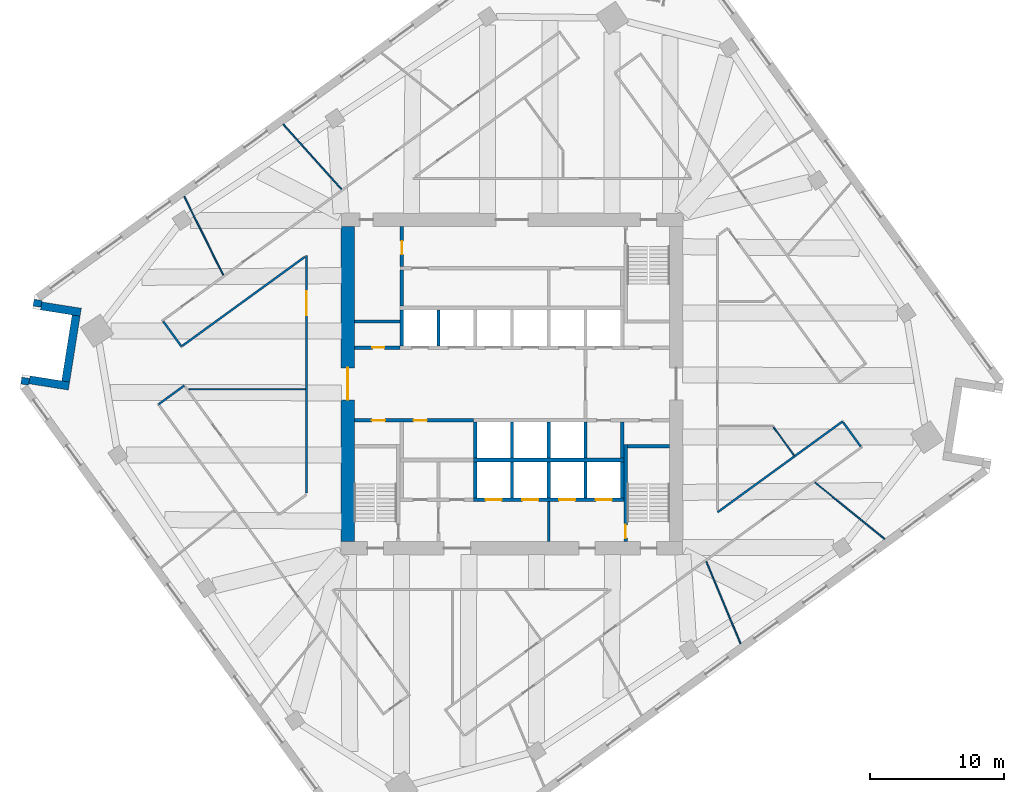
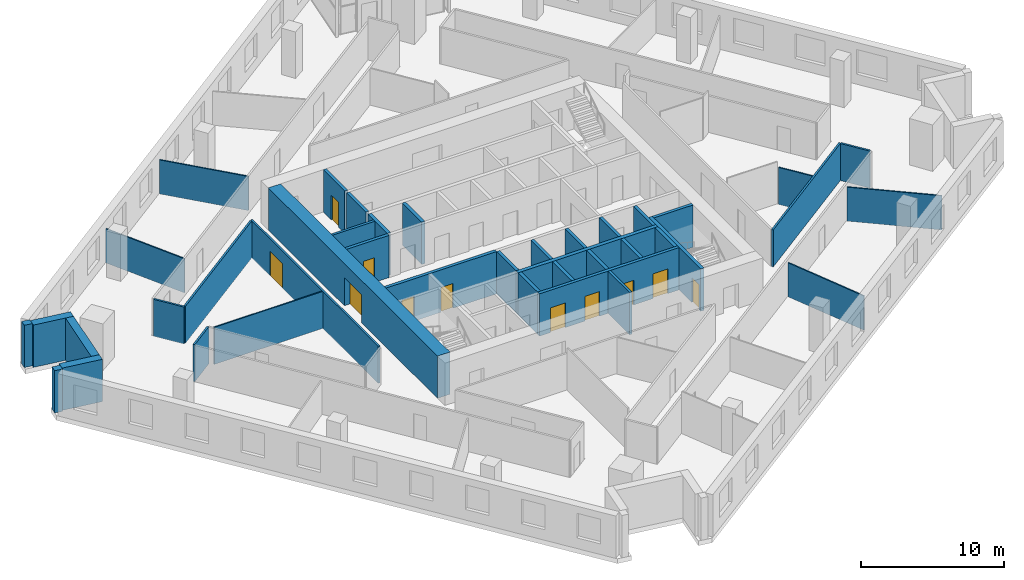
# One storey, part 6 of 11: 40 walls, 11 doors, 11 openings.
"""IFC4 building model written with IfcOpenShell, lengths in metres."""

import ifcopenshell
import ifcopenshell.guid

model = None  # the IFC model being written
_history = None  # IfcOwnerHistory: only IFC2X3 demands one
_inside = {}  # id of a spatial element -> (the spatial element, [elements in it])
_under = {}  # id of a project, library or spatial element -> (it, [spatial elements below it])
_declared = {}  # id of a project -> (the project, [libraries it declares])
_typed = {}  # id of a type object -> (the type object, [elements of that type])
_made_of = {}  # id of a material, layer set ... -> (it, [elements and type objects made of it])


def new_model(schema):
    """Start an empty IFC model of exactly this schema.

    Asked for "IFC4X3", IfcOpenShell would pick the latest addendum, in which some entities
    have other attributes; the version numbers below select the first issue.
    IFC2X3 requires an IfcOwnerHistory on every rooted entity: one is made here for all.
    """
    global model, _history
    if schema == "IFC4X3":
        model = ifcopenshell.file(schema_version=(4, 3, 0, 0))
    else:
        model = ifcopenshell.file(schema=schema)
    _inside.clear()
    _under.clear()
    _declared.clear()
    _typed.clear()
    _made_of.clear()
    _history = None
    if model.schema == "IFC2X3":
        org = make("IfcOrganization", Name="unknown")
        user = make(
            "IfcPersonAndOrganization",
            ThePerson=make("IfcPerson", FamilyName="unknown"),
            TheOrganization=org,
        )
        app = make(
            "IfcApplication",
            ApplicationDeveloper=org,
            Version="unknown",
            ApplicationFullName="unknown",
            ApplicationIdentifier="unknown",
        )
        _history = make(
            "IfcOwnerHistory",
            OwningUser=user,
            OwningApplication=app,
            ChangeAction="ADDED",
            CreationDate=0,
        )
    return model


def make(cls, **values):
    """One entity of the class cls with the attributes given. An attribute that is None is left unset."""
    return model.create_entity(
        cls, **{name: value for name, value in values.items() if value is not None}
    )


def rooted(cls, **values):
    """An entity with a GlobalId (a new one), such as an element, a storey or a relation."""
    return make(cls, GlobalId=ifcopenshell.guid.new(), OwnerHistory=_history, **values)


def si_unit(unit_type, name, prefix=None):
    """IfcSIUnit, for example si_unit("LENGTHUNIT", "METRE", prefix="MILLI")."""
    return make("IfcSIUnit", UnitType=unit_type, Prefix=prefix, Name=name)


def assignment(units):
    """IfcUnitAssignment: the units of a project."""
    return None if units is None else make("IfcUnitAssignment", Units=units)


def point(xyz):
    """IfcCartesianPoint."""
    return None if xyz is None else make("IfcCartesianPoint", Coordinates=xyz)


def direction(xyz):
    """IfcDirection."""
    return None if xyz is None else make("IfcDirection", DirectionRatios=xyz)


def frame(location, z_axis=None, x_axis=None):
    """IfcAxis2Placement3D, a coordinate frame: its origin and axes. An axis left out is left unset."""
    return make(
        "IfcAxis2Placement3D",
        Location=point(location),
        Axis=direction(z_axis),
        RefDirection=direction(x_axis),
    )


def frame_2d(location, x_axis=None):
    """IfcAxis2Placement2D, a coordinate frame in the plane: its origin and x axis."""
    return make(
        "IfcAxis2Placement2D", Location=point(location), RefDirection=direction(x_axis)
    )


def origin():
    """The frame at (0, 0, 0) with its axes left unset."""
    return frame((0.0, 0.0, 0.0))


def place(relative_to, where):
    """IfcLocalPlacement: puts the frame where relative to a parent placement (None: the world)."""
    return make(
        "IfcLocalPlacement", PlacementRelTo=relative_to, RelativePlacement=where
    )


def context(
    kind, dimensions, precision=None, world=None, true_north=None, identifier=None
):
    """IfcGeometricRepresentationContext, for example the 3D "Model" context."""
    return make(
        "IfcGeometricRepresentationContext",
        ContextIdentifier=identifier,
        ContextType=kind,
        CoordinateSpaceDimension=dimensions,
        Precision=precision,
        WorldCoordinateSystem=world,
        TrueNorth=true_north,
    )


def subcontext(parent, identifier, kind, view, scale=None):
    """IfcGeometricRepresentationSubContext, for example "Body" below "Model"."""
    return make(
        "IfcGeometricRepresentationSubContext",
        ContextIdentifier=identifier,
        ContextType=kind,
        ParentContext=parent,
        TargetScale=scale,
        TargetView=view,
    )


def project(units=None, contexts=None):
    """IfcProject with its units and contexts."""
    return rooted(
        "IfcProject",
        Name="project",
        RepresentationContexts=contexts,
        UnitsInContext=assignment(units),
    )


def spatial(cls, under=None, at=None, **own):
    """A site, building, storey or space (cls), placed at a placement, below another one or the project."""
    s = rooted(cls, ObjectPlacement=at, **own)
    if under is not None:
        _under.setdefault(under.id(), (under, []))[1].append(s)
    return s


def profile(cls, at=None, kind="AREA", **sizes):
    """A parametric profile (cls). Its sizes go by their IFC names, for example OverallWidth=200.0."""
    return make(cls, ProfileType=kind, Position=at, **sizes)


def rectangle(**sizes):
    """IfcRectangleProfileDef."""
    return profile("IfcRectangleProfileDef", **sizes)


def extrude(swept, where, along, depth):
    """IfcExtrudedAreaSolid: the profile swept, set in the frame where, extruded along a direction by depth."""
    return make(
        "IfcExtrudedAreaSolid",
        SweptArea=swept,
        Position=where,
        ExtrudedDirection=direction(along),
        Depth=depth,
    )


def shape(context_of_items, identifier, shape_type, items):
    """IfcShapeRepresentation: the items that make up one representation, for example the "Body"."""
    return make(
        "IfcShapeRepresentation",
        ContextOfItems=context_of_items,
        RepresentationIdentifier=identifier,
        RepresentationType=shape_type,
        Items=items,
    )


def material(Name=None, Category=None):
    """IfcMaterial."""
    return make("IfcMaterial", Name=Name, Category=Category)


def layer(
    of_material, thickness, ventilated=None, Name=None, Category=None, Priority=None
):
    """IfcMaterialLayer: one layer of a wall or slab, of a material (None: an air gap)."""
    return make(
        "IfcMaterialLayer",
        Material=of_material,
        LayerThickness=thickness,
        IsVentilated=ventilated,
        Name=Name,
        Category=Category,
        Priority=Priority,
    )


def layer_set(layers, Name=None):
    """IfcMaterialLayerSet."""
    return make("IfcMaterialLayerSet", MaterialLayers=layers, LayerSetName=Name)


def made_of(thing, what):
    """Note that an element or type object is made of a material, layer set ...; save() writes the relation."""
    if what is not None:
        _made_of.setdefault(what.id(), (what, []))[1].append(thing)
    return thing


def type_object(cls, material=None, **own):
    """A type object (cls), such as IfcWallType, which elements share."""
    return made_of(rooted(cls, **own), material)


def element(
    cls,
    number,
    at=None,
    inside=None,
    cuts=None,
    type_object=None,
    material=None,
    context=None,
    identifier="Body",
    shape_type=None,
    held_by="IfcProductDefinitionShape",
    body=None,
    shapes=None,
    **own,
):
    """One element of the class cls, such as IfcWall. Its Tag is "e" and its number.

    at: its placement. inside: the storey or other place that contains it. cuts: it is an
    opening in that element (IfcRelVoidsElement). A single representation is given by context,
    identifier, shape_type and body (its items); several are given by shapes. held_by: the class
    of the entity that holds the representations. save() writes the other relations.
    """
    e = rooted(cls, Tag="e%d" % number, ObjectPlacement=at, **own)
    if body is not None:
        shapes = [shape(context, identifier, shape_type, body)]
    if shapes is not None:
        e.Representation = make(held_by, Representations=shapes)
    if inside is not None:
        _inside.setdefault(inside.id(), (inside, []))[1].append(e)
    if cuts is not None:
        rooted(
            "IfcRelVoidsElement", RelatingBuildingElement=cuts, RelatedOpeningElement=e
        )
    if type_object is not None:
        _typed.setdefault(type_object.id(), (type_object, []))[1].append(e)
    return made_of(e, material)


def fill(opening, filler):
    """IfcRelFillsElement: the door or window that sits in an opening."""
    return rooted(
        "IfcRelFillsElement",
        RelatingOpeningElement=opening,
        RelatedBuildingElement=filler,
    )


def aggregate(whole, parts):
    """IfcRelAggregates: a whole, such as a stair, and the parts it consists of."""
    return rooted("IfcRelAggregates", RelatingObject=whole, RelatedObjects=parts)


def save(model, path):
    """Write the relations noted so far, then the file.

    IfcRelAggregates (storeys below a building ...), IfcRelContainedInSpatialStructure (elements
    in a storey), IfcRelDefinesByType, IfcRelAssociatesMaterial and IfcRelDeclares: one each for
    every whole, place, type object, material and project.
    """
    for whole, parts in _under.values():
        aggregate(whole, parts)
    for where, things in _inside.values():
        rooted(
            "IfcRelContainedInSpatialStructure",
            RelatedElements=things,
            RelatingStructure=where,
        )
    for kind, things in _typed.values():
        rooted("IfcRelDefinesByType", RelatedObjects=things, RelatingType=kind)
    for what, things in _made_of.values():
        rooted("IfcRelAssociatesMaterial", RelatedObjects=things, RelatingMaterial=what)
    for by, libraries in _declared.values():
        rooted("IfcRelDeclares", RelatingContext=by, RelatedDefinitions=libraries)
    model.write(path)


model = new_model("IFC4")

# Units and contexts
model_context = context("Model", 3, precision=1e-05, world=origin(), true_north=direction((0.0, 1.0)))
body_context = subcontext(model_context, "Body", "Model", "MODEL_VIEW")
ifc_project = project(units=[si_unit("LENGTHUNIT", "METRE"), si_unit("AREAUNIT", "SQUARE_METRE"), si_unit("VOLUMEUNIT", "CUBIC_METRE"), si_unit("PLANEANGLEUNIT", "RADIAN"), si_unit("MASSUNIT", "GRAM", prefix="KILO")], contexts=[model_context])

# Site, building, storey
site_placement = place(None, origin())
site = spatial("IfcSite", under=ifc_project, at=site_placement, CompositionType="ELEMENT")
building_placement = place(site_placement, origin())
building = spatial("IfcBuilding", under=site, at=building_placement, Name="Dilmun Exchange Tower", CompositionType="ELEMENT")
storey_placement = place(building_placement, frame((0.0, 0.0, 163.699951171875)))
storey = spatial("IfcBuildingStorey", under=building, at=storey_placement, Name="L38", CompositionType="ELEMENT", Elevation=163.699951171875)

# Walls
ifc_material_1 = material(Name="Concrete C40/50", Category="concrete")
ifc_layer_1 = layer(ifc_material_1, 0.199951171875)
ifc_layer_set_1 = layer_set([ifc_layer_1], Name="Concrete C40/50")
wall_type_1 = type_object("IfcWallType", Name="Core partition wall 200", PredefinedType="PARTITIONING", material=ifc_layer_set_1)
wall_1_placement = place(storey_placement, frame((2.75, -11.794921875, 0.0), z_axis=(0.0, 0.0, 1.0), x_axis=(0.0, 1.0, 0.0)))
element("IfcWall", 1, at=wall_1_placement, inside=storey, type_object=wall_type_1, Name="L38 core partition wall 02", PredefinedType="PARTITIONING", context=body_context, shape_type="SweptSolid", body=[
    extrude(rectangle(XDim=2.989990234375, YDim=0.199951171875, at=frame_2d((1.4951171875, 0.0))), origin(), (0.0, 0.0, 1.0), 3.60009765625),
])
wall_2_placement = place(storey_placement, frame((-11.794921875, 4.675048828125, 0.0), z_axis=(0.0, 0.0, 1.0), x_axis=(1.0, 0.0, 0.0)))
element("IfcWall", 2, at=wall_2_placement, inside=storey, type_object=wall_type_1, Name="L38 core partition wall 14", PredefinedType="PARTITIONING", context=body_context, shape_type="SweptSolid", body=[
    extrude(rectangle(XDim=3.4150390625, YDim=0.199951171875, at=frame_2d((1.70751953125, 0.0))), origin(), (0.0, 0.0, 1.0), 3.60009765625),
])
ifc_layer_2 = layer(ifc_material_1, 0.25)
ifc_layer_set_2 = layer_set([ifc_layer_2], Name="Concrete C40/50")
wall_type_2 = type_object("IfcWallType", Name="Core partition wall 250", PredefinedType="PARTITIONING", material=ifc_layer_set_2)
wall_3_placement = place(storey_placement, frame((8.25, -5.544921875, 0.0), z_axis=(0.0, 0.0, 1.0), x_axis=(0.0, 1.0, 0.0)))
element("IfcWall", 3, at=wall_3_placement, inside=storey, type_object=wall_type_2, Name="L38 core partition wall 08", PredefinedType="PARTITIONING", context=body_context, shape_type="SweptSolid", body=[
    extrude(rectangle(XDim=2.68994140625, YDim=0.25, at=frame_2d((1.344970703125, 0.0))), origin(), (0.0, 0.0, 1.0), 3.60009765625),
])

# Wall, openings, doors
wall_4_placement = place(storey_placement, frame((-11.794921875, -2.72509765625, 0.0), z_axis=(0.0, 0.0, 1.0), x_axis=(1.0, 0.0, 0.0)))
wall_4 = element("IfcWall", 4, at=wall_4_placement, inside=storey, type_object=wall_type_2, Name="L38 core partition wall 09", PredefinedType="PARTITIONING", context=body_context, shape_type="SweptSolid", body=[
    extrude(rectangle(XDim=8.9150390625, YDim=0.25, at=frame_2d((4.45751953125, 0.0))), origin(), (0.0, 0.0, 1.0), 3.60009765625),
])
opening_1_placement = place(wall_4_placement, frame((1.294921875, 0.0, 0.0)))
opening_1 = element("IfcOpeningElement", 5, at=opening_1_placement, cuts=wall_4, Name="Opening CD4", PredefinedType="OPENING", context=body_context, shape_type="SweptSolid", body=[
    extrude(rectangle(XDim=1.0, YDim=2.10009765625, at=frame_2d((0.5, 1.050048828125))), frame((0.0, 0.135009765625, 0.0), z_axis=(0.0, -1.0, 0.0), x_axis=(1.0, 0.0, 0.0)), (0.0, 0.0, 1.0), 0.27001953125),
])
opening_2_placement = place(wall_4_placement, frame((4.419921875, 0.0, 0.0)))
opening_2 = element("IfcOpeningElement", 6, at=opening_2_placement, cuts=wall_4, Name="Opening CD4", PredefinedType="OPENING", context=body_context, shape_type="SweptSolid", body=[
    extrude(rectangle(XDim=1.0, YDim=2.10009765625, at=frame_2d((0.5, 1.050048828125))), frame((0.0, 0.135009765625, 0.0), z_axis=(0.0, -1.0, 0.0), x_axis=(1.0, 0.0, 0.0)), (0.0, 0.0, 1.0), 0.27001953125),
])
ifc_material_2 = material(Name="Fire-rated steel door set", Category="steel")
door_type_1 = type_object("IfcDoorType", Name="Core room door 1000x2100", OperationType="SINGLE_SWING_LEFT", PredefinedType="DOOR", material=ifc_material_2)
door_1_placement = place(opening_1_placement, origin())
door_1 = element("IfcDoor", 7, at=door_1_placement, inside=storey, type_object=door_type_1, Name="L38 door Accessible WC", OperationType="SINGLE_SWING_LEFT", OverallHeight=2.10009765625, OverallWidth=1.0, PredefinedType="DOOR", context=body_context, shape_type="SweptSolid", body=[
    extrude(rectangle(XDim=1.0, YDim=2.10009765625, at=frame_2d((0.5, 1.050048828125))), frame((0.0, 0.02490234375, 0.0), z_axis=(0.0, -1.0, 0.0), x_axis=(1.0, 0.0, 0.0)), (0.0, 0.0, 1.0), 0.050048828125),
])
fill(opening_1, door_1)
door_2_placement = place(opening_2_placement, origin())
door_2 = element("IfcDoor", 8, at=door_2_placement, inside=storey, type_object=door_type_1, Name="L38 door Tenant services room", OperationType="SINGLE_SWING_LEFT", OverallHeight=2.10009765625, OverallWidth=1.0, PredefinedType="DOOR", context=body_context, shape_type="SweptSolid", body=[
    extrude(rectangle(XDim=1.0, YDim=2.10009765625, at=frame_2d((0.5, 1.050048828125))), frame((0.0, 0.02490234375, 0.0), z_axis=(0.0, -1.0, 0.0), x_axis=(1.0, 0.0, 0.0)), (0.0, 0.0, 1.0), 0.050048828125),
])
fill(opening_2, door_2)

# Wall, opening, door
wall_5_placement = place(storey_placement, frame((-11.794921875, 2.72509765625, 0.0), z_axis=(0.0, 0.0, 1.0), x_axis=(1.0, 0.0, 0.0)))
wall_5 = element("IfcWall", 9, at=wall_5_placement, inside=storey, type_object=wall_type_2, Name="L38 core partition wall 12", PredefinedType="PARTITIONING", context=body_context, shape_type="SweptSolid", body=[
    extrude(rectangle(XDim=3.4150390625, YDim=0.25, at=frame_2d((1.70751953125, 0.0))), origin(), (0.0, 0.0, 1.0), 3.60009765625),
])
opening_3_placement = place(wall_5_placement, frame((1.344970703125, 0.0, 0.0)))
opening_3 = element("IfcOpeningElement", 10, at=opening_3_placement, cuts=wall_5, Name="Opening CD6", PredefinedType="OPENING", context=body_context, shape_type="SweptSolid", body=[
    extrude(rectangle(XDim=0.89990234375, YDim=2.10009765625, at=frame_2d((0.449951171875, 1.050048828125))), frame((0.0, 0.135009765625, 0.0), z_axis=(0.0, -1.0, 0.0), x_axis=(1.0, 0.0, 0.0)), (0.0, 0.0, 1.0), 0.27001953125),
])
door_type_2 = type_object("IfcDoorType", Name="Core room door 900x2100", OperationType="SINGLE_SWING_LEFT", PredefinedType="DOOR", material=ifc_material_2)
door_3_placement = place(opening_3_placement, origin())
door_3 = element("IfcDoor", 11, at=door_3_placement, inside=storey, type_object=door_type_2, Name="L38 door Plumbing riser", OperationType="SINGLE_SWING_LEFT", OverallHeight=2.10009765625, OverallWidth=0.89990234375, PredefinedType="DOOR", context=body_context, shape_type="SweptSolid", body=[
    extrude(rectangle(XDim=0.89990234375, YDim=2.10009765625, at=frame_2d((0.449951171875, 1.050048828125))), frame((0.0, 0.02490234375, 0.0), z_axis=(0.0, -1.0, 0.0), x_axis=(1.0, 0.0, 0.0)), (0.0, 0.0, 1.0), 0.050048828125),
])
fill(opening_3, door_3)

# Wall
wall_6_placement = place(storey_placement, frame((-8.25, 5.85498046875, 0.0), z_axis=(0.0, 0.0, 1.0), x_axis=(0.0, 1.0, 0.0)))
element("IfcWall", 12, at=wall_6_placement, inside=storey, type_object=wall_type_2, Name="L38 core partition wall 15", PredefinedType="PARTITIONING", context=body_context, shape_type="SweptSolid", body=[
    extrude(rectangle(XDim=2.68994140625, YDim=0.25, at=frame_2d((1.344970703125, 0.0))), origin(), (0.0, 0.0, 1.0), 3.60009765625),
])

# Wall, opening, door
wall_7_placement = place(storey_placement, frame((-8.25, 8.804931640625, 0.0), z_axis=(0.0, 0.0, 1.0), x_axis=(0.0, 1.0, 0.0)))
wall_7 = element("IfcWall", 13, at=wall_7_placement, inside=storey, type_object=wall_type_2, Name="L38 core partition wall 19", PredefinedType="PARTITIONING", context=body_context, shape_type="SweptSolid", body=[
    extrude(rectangle(XDim=2.989990234375, YDim=0.25, at=frame_2d((1.4951171875, 0.0))), origin(), (0.0, 0.0, 1.0), 3.60009765625),
])
opening_4_placement = place(wall_7_placement, frame((0.89501953125, 0.0, 0.0)))
opening_4 = element("IfcOpeningElement", 14, at=opening_4_placement, cuts=wall_7, Name="Opening CD4", PredefinedType="OPENING", context=body_context, shape_type="SweptSolid", body=[
    extrude(rectangle(XDim=1.0, YDim=2.10009765625, at=frame_2d((0.5, 1.050048828125))), frame((0.0, 0.135009765625, 0.0), z_axis=(0.0, -1.0, 0.0), x_axis=(1.0, 0.0, 0.0)), (0.0, 0.0, 1.0), 0.27001953125),
])
door_4_placement = place(opening_4_placement, origin())
door_4 = element("IfcDoor", 15, at=door_4_placement, inside=storey, type_object=door_type_1, Name="L38 door Facilities office", OperationType="SINGLE_SWING_LEFT", OverallHeight=2.10009765625, OverallWidth=1.0, PredefinedType="DOOR", context=body_context, shape_type="SweptSolid", body=[
    extrude(rectangle(XDim=1.0, YDim=2.10009765625, at=frame_2d((0.5, 1.050048828125))), frame((0.0, 0.02490234375, 0.0), z_axis=(0.0, -1.0, 0.0), x_axis=(1.0, 0.0, 0.0)), (0.0, 0.0, 1.0), 0.050048828125),
])
fill(opening_4, door_4)

ifc_material_3 = material(Name="Concrete C70/85", Category="concrete")
ifc_layer_3 = layer(ifc_material_3, 1.0)
ifc_layer_set_3 = layer_set([ifc_layer_3], Name="Concrete C70/85")
wall_type_3 = type_object("IfcWallType", Name="Core shear wall 1000 Concrete C70/85", PredefinedType="SHEAR", material=ifc_layer_set_3)
wall_8_placement = place(storey_placement, frame((-12.300048828125, -11.800048828125, 0.0), z_axis=(0.0, 0.0, 1.0), x_axis=(0.0, 1.0, 0.0)))
wall_8 = element("IfcWall", 16, at=wall_8_placement, inside=storey, type_object=wall_type_3, Name="L38 core shear wall W", PredefinedType="SHEAR", context=body_context, shape_type="SweptSolid", body=[
    extrude(rectangle(XDim=23.60009765625, YDim=1.0, at=frame_2d((11.800048828125, 0.0))), origin(), (0.0, 0.0, 1.0), 3.60009765625),
])
opening_5_placement = place(wall_8_placement, frame((10.60009765625, 0.0, 0.0)))
opening_5 = element("IfcOpeningElement", 17, at=opening_5_placement, cuts=wall_8, Name="Opening CD1", PredefinedType="OPENING", context=body_context, shape_type="SweptSolid", body=[
    extrude(rectangle(XDim=2.39990234375, YDim=2.39990234375, at=frame_2d((1.199951171875, 1.199951171875))), frame((0.0, 0.510009765625, 0.0), z_axis=(0.0, -1.0, 0.0), x_axis=(1.0, 0.0, 0.0)), (0.0, 0.0, 1.0), 1.02001953125),
])
door_type_3 = type_object("IfcDoorType", Name="Core lobby door 2400x2400", OperationType="DOUBLE_DOOR_DOUBLE_SWING", PredefinedType="DOOR", material=ifc_material_2)
door_5_placement = place(opening_5_placement, origin())
door_5 = element("IfcDoor", 18, at=door_5_placement, inside=storey, type_object=door_type_3, Name="L38 door Central lift lobby", OperationType="SINGLE_SWING_LEFT", OverallHeight=2.39990234375, OverallWidth=2.39990234375, PredefinedType="DOOR", context=body_context, shape_type="SweptSolid", body=[
    extrude(rectangle(XDim=2.39990234375, YDim=2.39990234375, at=frame_2d((1.199951171875, 1.199951171875))), frame((0.0, 0.02490234375, 0.0), z_axis=(0.0, -1.0, 0.0), x_axis=(1.0, 0.0, 0.0)), (0.0, 0.0, 1.0), 0.050048828125),
])
fill(opening_5, door_5)

# Walls
ifc_material_4 = material(Name="Corridor wall 150")
ifc_layer_4 = layer(ifc_material_4, 0.14990234375)
ifc_layer_set_4 = layer_set([ifc_layer_4], Name="Corridor wall 150")
wall_type_4 = type_object("IfcWallType", Name="Corridor wall 150", PredefinedType="PARTITIONING", material=ifc_layer_set_4)
wall_9_placement = place(storey_placement, frame((-26.48095703125, -1.528076171875, 0.0), z_axis=(0.0, 0.0, 1.0), x_axis=(0.809158191643, 0.587590861822, 0.0)))
element("IfcWall", 19, at=wall_9_placement, inside=storey, type_object=wall_type_4, Name="Corridor wall", PredefinedType="PARTITIONING", context=body_context, shape_type="SweptSolid", body=[
    extrude(rectangle(XDim=2.39990234375, YDim=0.14990234375, at=frame_2d((1.199951171875, 0.0))), origin(), (0.0, 0.0, 1.0), 3.150146484375),
])
wall_10_placement = place(storey_placement, frame((-26.121826171875, 4.688232421875, 0.0), z_axis=(0.0, 0.0, 1.0), x_axis=(0.5874596315, -0.809253471638, 0.0)))
element("IfcWall", 20, at=wall_10_placement, inside=storey, type_object=wall_type_4, Name="Corridor wall", PredefinedType="PARTITIONING", context=body_context, shape_type="SweptSolid", body=[
    extrude(rectangle(XDim=2.32470703125, YDim=0.14990234375, at=frame_2d((1.162353515625, 0.0))), origin(), (0.0, 0.0, 1.0), 3.150146484375),
])
wall_11_placement = place(storey_placement, frame((-24.6953125, 2.85107421875, 0.0), z_axis=(0.0, 0.0, 1.0), x_axis=(0.809035699289, 0.587759506326, 0.0)))
element("IfcWall", 21, at=wall_11_placement, inside=storey, type_object=wall_type_4, Name="Corridor wall", PredefinedType="PARTITIONING", context=body_context, shape_type="SweptSolid", body=[
    extrude(rectangle(XDim=11.34228515625, YDim=0.14990234375, at=frame_2d((5.671142578125, 0.0))), origin(), (0.0, 0.0, 1.0), 3.150146484375),
])

# Wall, opening, door
wall_12_placement = place(storey_placement, frame((-15.39990234375, -8.14990234375, 0.0), z_axis=(0.0, 0.0, 1.0), x_axis=(0.0, 1.0, 0.0)))
wall_12 = element("IfcWall", 22, at=wall_12_placement, inside=storey, type_object=wall_type_4, Name="Corridor wall", PredefinedType="PARTITIONING", context=body_context, shape_type="SweptSolid", body=[
    extrude(rectangle(XDim=17.75390625, YDim=0.14990234375, at=frame_2d((8.876953125, 0.0))), origin(), (0.0, 0.0, 1.0), 3.150146484375),
])
opening_6_placement = place(wall_12_placement, frame((13.304443359375, 0.0, 0.0)))
opening_6 = element("IfcOpeningElement", 23, at=opening_6_placement, cuts=wall_12, Name="Opening TF38-D01", PredefinedType="OPENING", context=body_context, shape_type="SweptSolid", body=[
    extrude(rectangle(XDim=1.800048828125, YDim=2.10009765625, at=frame_2d((0.89990234375, 1.050048828125))), frame((0.0, 0.0849609375, 0.0), z_axis=(0.0, -1.0, 0.0), x_axis=(1.0, 0.0, 0.0)), (0.0, 0.0, 1.0), 0.169921875),
])
ifc_material_5 = material(Name="Fire door pair 1800 x 2100")
door_type_4 = type_object("IfcDoorType", Name="Fire door pair 1800 x 2100", OperationType="NOTDEFINED", PredefinedType="DOOR", material=ifc_material_5)
door_6_placement = place(opening_6_placement, origin())
door_6 = element("IfcDoor", 24, at=door_6_placement, inside=storey, type_object=door_type_4, Name="Door TF38-D01", OperationType="DOUBLE_DOOR_SINGLE_SWING", OverallHeight=2.10009765625, OverallWidth=1.800048828125, PredefinedType="DOOR", context=body_context, shape_type="SweptSolid", body=[
    extrude(rectangle(XDim=1.800048828125, YDim=2.10009765625, at=frame_2d((0.89990234375, 1.050048828125))), frame((0.0, 0.02490234375, 0.0), z_axis=(0.0, -1.0, 0.0), x_axis=(1.0, 0.0, 0.0)), (0.0, 0.0, 1.0), 0.050048828125),
])
fill(opening_6, door_6)

# Walls
wall_13_placement = place(storey_placement, frame((15.39990234375, -9.60400390625, 0.0), z_axis=(0.0, 0.0, 1.0), x_axis=(0.809039975854, 0.5877536197, 0.0)))
element("IfcWall", 25, at=wall_13_placement, inside=storey, type_object=wall_type_4, Name="Corridor wall", PredefinedType="PARTITIONING", context=body_context, shape_type="SweptSolid", body=[
    extrude(rectangle(XDim=11.564453125, YDim=0.14990234375, at=frame_2d((5.7822265625, 0.0))), origin(), (0.0, 0.0, 1.0), 3.150146484375),
])
wall_14_placement = place(storey_placement, frame((24.800048828125, -2.86767578125, 0.0), z_axis=(0.0, 0.0, 1.0), x_axis=(0.587513359373, -0.809214466355, 0.0)))
element("IfcWall", 26, at=wall_14_placement, inside=storey, type_object=wall_type_4, Name="Corridor wall", PredefinedType="PARTITIONING", context=body_context, shape_type="SweptSolid", body=[
    extrude(rectangle(XDim=2.249755859375, YDim=0.14990234375, at=frame_2d((1.125, 0.0))), origin(), (0.0, 0.0, 1.0), 3.150146484375),
])
ifc_layer_5 = layer(ifc_material_1, 0.300048828125)
ifc_layer_set_5 = layer_set([ifc_layer_5], Name="Concrete C40/50")
wall_type_5 = type_object("IfcWallType", Name="Lift shaft shared wall 300", PredefinedType="SOLIDWALL", material=ifc_layer_set_5)
wall_15_placement = place(storey_placement, frame((-2.875, -5.699951171875, 0.0), z_axis=(0.0, 0.0, 1.0), x_axis=(1.0, 0.0, 0.0)))
element("IfcWall", 27, at=wall_15_placement, inside=storey, type_object=wall_type_5, Name="L38 lift shaft rear wall S", PredefinedType="SOLIDWALL", context=body_context, shape_type="SweptSolid", body=[
    extrude(rectangle(XDim=11.25, YDim=0.300048828125, at=frame_2d((5.625, 0.0))), origin(), (0.0, 0.0, 1.0), 3.60009765625),
])
ifc_layer_6 = layer(ifc_material_1, 0.25)
ifc_layer_set_6 = layer_set([ifc_layer_6], Name="Concrete C40/50")
wall_type_6 = type_object("IfcWallType", Name="Lift shaft wall 250", PredefinedType="SOLIDWALL", material=ifc_layer_set_6)
for number, where, z_axis, x_axis, name in (
    (28, (-8.25, 2.85009765625, 0.0), (0.0, 0.0, 1.0), (0.0, 1.0, 0.0), "L38 lift shaft divider N10"),
    (29, (-5.5, 2.85009765625, 0.0), (0.0, 0.0, 1.0), (0.0, 1.0, 0.0), "L38 lift shaft divider N11"),
    (30, (-2.75, -5.550048828125, 0.0), (0.0, 0.0, 1.0), (0.0, 1.0, 0.0), "L38 lift shaft divider S12"),
    (31, (0.0, -5.550048828125, 0.0), (0.0, 0.0, 1.0), (0.0, 1.0, 0.0), "L38 lift shaft divider S13"),
    (32, (2.75, -5.550048828125, 0.0), (0.0, 0.0, 1.0), (0.0, 1.0, 0.0), "L38 lift shaft divider S14"),
    (33, (5.5, -5.550048828125, 0.0), (0.0, 0.0, 1.0), (0.0, 1.0, 0.0), "L38 lift shaft divider S15"),
):
    element("IfcWall", number, at=place(storey_placement, frame(where, z_axis=z_axis, x_axis=x_axis)), inside=storey, type_object=wall_type_6, Name=name, PredefinedType="SOLIDWALL", context=body_context, shape_type="SweptSolid", body=[
        extrude(rectangle(XDim=2.699951171875, YDim=0.25, at=frame_2d((1.35009765625, 0.0))), origin(), (0.0, 0.0, 1.0), 3.60009765625),
    ])

# Wall, openings, doors
wall_16_placement = place(storey_placement, frame((-2.875, -8.675048828125, 0.0), z_axis=(0.0, 0.0, 1.0), x_axis=(1.0, 0.0, 0.0)))
wall_16 = element("IfcWall", 34, at=wall_16_placement, inside=storey, type_object=wall_type_6, Name="L38 lift shaft front wall S2", PredefinedType="SOLIDWALL", context=body_context, shape_type="SweptSolid", body=[
    extrude(rectangle(XDim=11.25, YDim=0.25, at=frame_2d((5.625, 0.0))), origin(), (0.0, 0.0, 1.0), 3.60009765625),
])
opening_7_placement = place(wall_16_placement, frame((0.89990234375, 0.0, 0.0)))
opening_7 = element("IfcOpeningElement", 35, at=opening_7_placement, cuts=wall_16, Name="Opening LD", PredefinedType="OPENING", context=body_context, shape_type="SweptSolid", body=[
    extrude(rectangle(XDim=1.199951171875, YDim=2.10009765625, at=frame_2d((0.60009765625, 1.050048828125))), frame((0.0, 0.135009765625, 0.0), z_axis=(0.0, -1.0, 0.0), x_axis=(1.0, 0.0, 0.0)), (0.0, 0.0, 1.0), 0.27001953125),
])
opening_8_placement = place(wall_16_placement, frame((3.64990234375, 0.0, 0.0)))
opening_8 = element("IfcOpeningElement", 36, at=opening_8_placement, cuts=wall_16, Name="Opening LD", PredefinedType="OPENING", context=body_context, shape_type="SweptSolid", body=[
    extrude(rectangle(XDim=1.199951171875, YDim=2.10009765625, at=frame_2d((0.60009765625, 1.050048828125))), frame((0.0, 0.135009765625, 0.0), z_axis=(0.0, -1.0, 0.0), x_axis=(1.0, 0.0, 0.0)), (0.0, 0.0, 1.0), 0.27001953125),
])
opening_9_placement = place(wall_16_placement, frame((6.39990234375, 0.0, 0.0)))
opening_9 = element("IfcOpeningElement", 37, at=opening_9_placement, cuts=wall_16, Name="Opening LD", PredefinedType="OPENING", context=body_context, shape_type="SweptSolid", body=[
    extrude(rectangle(XDim=1.199951171875, YDim=2.10009765625, at=frame_2d((0.60009765625, 1.050048828125))), frame((0.0, 0.135009765625, 0.0), z_axis=(0.0, -1.0, 0.0), x_axis=(1.0, 0.0, 0.0)), (0.0, 0.0, 1.0), 0.27001953125),
])
opening_10_placement = place(wall_16_placement, frame((9.14990234375, 0.0, 0.0)))
opening_10 = element("IfcOpeningElement", 38, at=opening_10_placement, cuts=wall_16, Name="Opening LD", PredefinedType="OPENING", context=body_context, shape_type="SweptSolid", body=[
    extrude(rectangle(XDim=1.199951171875, YDim=2.10009765625, at=frame_2d((0.60009765625, 1.050048828125))), frame((0.0, 0.135009765625, 0.0), z_axis=(0.0, -1.0, 0.0), x_axis=(1.0, 0.0, 0.0)), (0.0, 0.0, 1.0), 0.27001953125),
])
door_type_5 = type_object("IfcDoorType", Name="Lift landing door 1200x2100", OperationType="DOUBLE_DOOR_SLIDING", PredefinedType="DOOR", material=ifc_material_2)
door_7_placement = place(opening_7_placement, origin())
door_7 = element("IfcDoor", 39, at=door_7_placement, inside=storey, type_object=door_type_5, Name="L38 landing door SV1", OperationType="DOUBLE_DOOR_SLIDING", OverallHeight=2.10009765625, OverallWidth=1.199951171875, PredefinedType="DOOR", context=body_context, shape_type="SweptSolid", body=[
    extrude(rectangle(XDim=1.199951171875, YDim=2.10009765625, at=frame_2d((0.60009765625, 1.050048828125))), frame((0.0, 0.02490234375, 0.0), z_axis=(0.0, -1.0, 0.0), x_axis=(1.0, 0.0, 0.0)), (0.0, 0.0, 1.0), 0.050048828125),
])
fill(opening_7, door_7)
door_8_placement = place(opening_8_placement, origin())
door_8 = element("IfcDoor", 40, at=door_8_placement, inside=storey, type_object=door_type_5, Name="L38 landing door SV2", OperationType="DOUBLE_DOOR_SLIDING", OverallHeight=2.10009765625, OverallWidth=1.199951171875, PredefinedType="DOOR", context=body_context, shape_type="SweptSolid", body=[
    extrude(rectangle(XDim=1.199951171875, YDim=2.10009765625, at=frame_2d((0.60009765625, 1.050048828125))), frame((0.0, 0.02490234375, 0.0), z_axis=(0.0, -1.0, 0.0), x_axis=(1.0, 0.0, 0.0)), (0.0, 0.0, 1.0), 0.050048828125),
])
fill(opening_8, door_8)
door_9_placement = place(opening_9_placement, origin())
door_9 = element("IfcDoor", 41, at=door_9_placement, inside=storey, type_object=door_type_5, Name="L38 landing door FF1", OperationType="DOUBLE_DOOR_SLIDING", OverallHeight=2.10009765625, OverallWidth=1.199951171875, PredefinedType="DOOR", context=body_context, shape_type="SweptSolid", body=[
    extrude(rectangle(XDim=1.199951171875, YDim=2.10009765625, at=frame_2d((0.60009765625, 1.050048828125))), frame((0.0, 0.02490234375, 0.0), z_axis=(0.0, -1.0, 0.0), x_axis=(1.0, 0.0, 0.0)), (0.0, 0.0, 1.0), 0.050048828125),
])
fill(opening_9, door_9)
door_10_placement = place(opening_10_placement, origin())
door_10 = element("IfcDoor", 42, at=door_10_placement, inside=storey, type_object=door_type_5, Name="L38 landing door FF2", OperationType="DOUBLE_DOOR_SLIDING", OverallHeight=2.10009765625, OverallWidth=1.199951171875, PredefinedType="DOOR", context=body_context, shape_type="SweptSolid", body=[
    extrude(rectangle(XDim=1.199951171875, YDim=2.10009765625, at=frame_2d((0.60009765625, 1.050048828125))), frame((0.0, 0.02490234375, 0.0), z_axis=(0.0, -1.0, 0.0), x_axis=(1.0, 0.0, 0.0)), (0.0, 0.0, 1.0), 0.050048828125),
])
fill(opening_10, door_10)

# Walls
for number, where, z_axis, x_axis, name in (
    (43, (-2.75, -8.550048828125, 0.0), (0.0, 0.0, 1.0), (0.0, 1.0, 0.0), "L38 lift shaft divider S22"),
    (44, (0.0, -8.550048828125, 0.0), (0.0, 0.0, 1.0), (0.0, 1.0, 0.0), "L38 lift shaft divider S23"),
    (45, (2.75, -8.550048828125, 0.0), (0.0, 0.0, 1.0), (0.0, 1.0, 0.0), "L38 lift shaft divider S24"),
    (46, (5.5, -8.550048828125, 0.0), (0.0, 0.0, 1.0), (0.0, 1.0, 0.0), "L38 lift shaft divider S25"),
    (47, (8.25, -8.550048828125, 0.0), (0.0, 0.0, 1.0), (0.0, 1.0, 0.0), "L38 lift shaft divider S26"),
):
    element("IfcWall", number, at=place(storey_placement, frame(where, z_axis=z_axis, x_axis=x_axis)), inside=storey, type_object=wall_type_6, Name=name, PredefinedType="SOLIDWALL", context=body_context, shape_type="SweptSolid", body=[
        extrude(rectangle(XDim=2.699951171875, YDim=0.25, at=frame_2d((1.35009765625, 0.0))), origin(), (0.0, 0.0, 1.0), 3.60009765625),
    ])
ifc_material_6 = material(Name="Partition 100")
ifc_layer_7 = layer(ifc_material_6, 0.10009765625)
ifc_layer_set_7 = layer_set([ifc_layer_7], Name="Partition 100")
wall_type_7 = type_object("IfcWallType", Name="Partition 100", PredefinedType="PARTITIONING", material=ifc_layer_set_7)
wall_17_placement = place(storey_placement, frame((-24.549072265625, 14.05224609375, 0.0), z_axis=(0.0, 0.0, 1.0), x_axis=(0.443265486379, -0.896390377339, 0.0)))
element("IfcWall", 48, at=wall_17_placement, inside=storey, type_object=wall_type_7, Name="Partition", PredefinedType="PARTITIONING", context=body_context, shape_type="SweptSolid", body=[
    extrude(rectangle(XDim=6.586669921875, YDim=0.10009765625, at=frame_2d((3.29345703125, 0.0))), origin(), (0.0, 0.0, 1.0), 2.900146484375),
])
wall_18_placement = place(storey_placement, frame((-24.208984375, -0.39501953125, 0.0), z_axis=(0.0, 0.0, 1.0), x_axis=(1.0, 0.0, 0.0)))
element("IfcWall", 49, at=wall_18_placement, inside=storey, type_object=wall_type_7, Name="Partition", PredefinedType="PARTITIONING", context=body_context, shape_type="SweptSolid", body=[
    extrude(rectangle(XDim=8.73388671875, YDim=0.10009765625, at=frame_2d((4.366943359375, 0.0))), origin(), (0.0, 0.0, 1.0), 3.150146484375),
])
wall_19_placement = place(storey_placement, frame((-17.13623046875, 19.43798828125, 0.0), z_axis=(0.0, 0.0, 1.0), x_axis=(0.66853916977, -0.743676931526, 0.0)))
element("IfcWall", 50, at=wall_19_placement, inside=storey, type_object=wall_type_7, Name="Partition", PredefinedType="PARTITIONING", context=body_context, shape_type="SweptSolid", body=[
    extrude(rectangle(XDim=6.531005859375, YDim=0.10009765625, at=frame_2d((3.265625, 0.0))), origin(), (0.0, 0.0, 1.0), 2.900146484375),
])
wall_20_placement = place(storey_placement, frame((14.55419921875, -13.292236328125, 0.0), z_axis=(0.0, 0.0, 1.0), x_axis=(0.384012483771, -0.923327900753, 0.0)))
element("IfcWall", 51, at=wall_20_placement, inside=storey, type_object=wall_type_7, Name="Partition", PredefinedType="PARTITIONING", context=body_context, shape_type="SweptSolid", body=[
    extrude(rectangle(XDim=6.671630859375, YDim=0.10009765625, at=frame_2d((3.3359375, 0.0))), origin(), (0.0, 0.0, 1.0), 2.900146484375),
])
wall_21_placement = place(storey_placement, frame((19.589599609375, -3.2333984375, 0.0), z_axis=(0.0, 0.0, 1.0), x_axis=(0.587855456346, -0.80896598349, 0.0)))
element("IfcWall", 52, at=wall_21_placement, inside=storey, type_object=wall_type_7, Name="Partition", PredefinedType="PARTITIONING", context=body_context, shape_type="SweptSolid", body=[
    extrude(rectangle(XDim=2.616943359375, YDim=0.10009765625, at=frame_2d((1.30859375, 0.0))), origin(), (0.0, 0.0, 1.0), 3.150146484375),
])
wall_22_placement = place(storey_placement, frame((22.695556640625, -7.37841796875, 0.0), z_axis=(0.0, 0.0, 1.0), x_axis=(0.776171827552, -0.630521446197, 0.0)))
element("IfcWall", 53, at=wall_22_placement, inside=storey, type_object=wall_type_7, Name="Partition", PredefinedType="PARTITIONING", context=body_context, shape_type="SweptSolid", body=[
    extrude(rectangle(XDim=6.71484375, YDim=0.10009765625, at=frame_2d((3.357421875, 0.0))), origin(), (0.0, 0.0, 1.0), 2.900146484375),
])
ifc_material_7 = material(Name="Precast concrete C50/60", Category="concrete")
ifc_layer_8 = layer(ifc_material_7, 0.60009765625)
ifc_layer_set_8 = layer_set([ifc_layer_8], Name="Precast concrete C50/60")
wall_type_8 = type_object("IfcWallType", Name="Precast stone-clad wall 600", PredefinedType="STANDARD", material=ifc_layer_set_8)
wall_23_placement = place(storey_placement, frame((-35.497314453125, 6.296142578125, 0.0), z_axis=(0.0, 0.0, 1.0), x_axis=(-0.156649231492, -0.987654300994, 0.0)))
element("IfcWall", 54, at=wall_23_placement, inside=storey, type_object=wall_type_8, Name="Facade wall L38-04", PredefinedType="STANDARD", context=body_context, shape_type="SweptSolid", body=[
    extrude(rectangle(XDim=0.51123046875, YDim=0.60009765625, at=frame_2d((0.255615234375, 0.0))), origin(), (0.0, 0.0, 1.0), 3.60009765625),
])
wall_24_placement = place(storey_placement, frame((-35.265380859375, 5.843017578125, 0.0), z_axis=(0.0, 0.0, 1.0), x_axis=(0.987692262674, -0.156409699997, 0.0)))
element("IfcWall", 55, at=wall_24_placement, inside=storey, type_object=wall_type_8, Name="Facade wall L38-05", PredefinedType="STANDARD", context=body_context, shape_type="SweptSolid", body=[
    extrude(rectangle(XDim=3.0, YDim=0.60009765625, at=frame_2d((1.5, 0.0))), origin(), (0.0, 0.0, 1.0), 3.60009765625),
])
wall_25_placement = place(storey_placement, frame((-32.6455078125, 5.12451171875, 0.0), z_axis=(0.0, 0.0, 1.0), x_axis=(-0.156443969736, -0.987686835152, 0.0)))
element("IfcWall", 56, at=wall_25_placement, inside=storey, type_object=wall_type_8, Name="Facade wall L38-06", PredefinedType="STANDARD", context=body_context, shape_type="SweptSolid", body=[
    extrude(rectangle(XDim=5.0, YDim=0.60009765625, at=frame_2d((2.5, 0.0))), origin(), (0.0, 0.0, 1.0), 3.60009765625),
])
wall_26_placement = place(storey_placement, frame((-33.178466796875, -0.1572265625, 0.0), z_axis=(0.0, 0.0, 1.0), x_axis=(-0.987690271588, 0.156422272742, 0.0)))
element("IfcWall", 57, at=wall_26_placement, inside=storey, type_object=wall_type_8, Name="Facade wall L38-07", PredefinedType="STANDARD", context=body_context, shape_type="SweptSolid", body=[
    extrude(rectangle(XDim=2.999755859375, YDim=0.60009765625, at=frame_2d((1.5, 0.0))), origin(), (0.0, 0.0, 1.0), 3.60009765625),
])
wall_27_placement = place(storey_placement, frame((-36.422119140625, 0.457763671875, 0.0), z_axis=(0.0, 0.0, 1.0), x_axis=(-0.156575375554, -0.987666012258, 0.0)))
element("IfcWall", 58, at=wall_27_placement, inside=storey, type_object=wall_type_8, Name="Facade wall L38-08", PredefinedType="STANDARD", context=body_context, shape_type="SweptSolid", body=[
    extrude(rectangle(XDim=0.511474609375, YDim=0.60009765625, at=frame_2d((0.255859375, 0.0))), origin(), (0.0, 0.0, 1.0), 3.60009765625),
])
ifc_layer_9 = layer(ifc_material_1, 0.25)
ifc_layer_set_9 = layer_set([ifc_layer_9], Name="Concrete C40/50")
wall_type_9 = type_object("IfcWallType", Name="Stair end wall 250", PredefinedType="SOLIDWALL", material=ifc_layer_set_9)
wall_28_placement = place(storey_placement, frame((8.64990234375, -4.675048828125, 0.0), z_axis=(0.0, 0.0, 1.0), x_axis=(1.0, 0.0, 0.0)))
element("IfcWall", 59, at=wall_28_placement, inside=storey, type_object=wall_type_9, Name="L38 ST3 far wall", PredefinedType="SOLIDWALL", context=body_context, shape_type="SweptSolid", body=[
    extrude(rectangle(XDim=3.150146484375, YDim=0.25, at=frame_2d((1.5751953125, 0.0))), origin(), (0.0, 0.0, 1.0), 3.60009765625),
])

# Wall, opening, door
ifc_layer_10 = layer(ifc_material_1, 0.27490234375)
ifc_layer_set_10 = layer_set([ifc_layer_10], Name="Concrete C40/50")
wall_type_10 = type_object("IfcWallType", Name="Stair wall 275", PredefinedType="SOLIDWALL", material=ifc_layer_set_10)
wall_29_placement = place(storey_placement, frame((8.512451171875, -4.550048828125, 0.0), z_axis=(0.0, 0.0, 1.0), x_axis=(0.0, -1.0, 0.0)))
wall_29 = element("IfcWall", 60, at=wall_29_placement, inside=storey, type_object=wall_type_10, Name="L38 ST3 wall to lift block", PredefinedType="SOLIDWALL", context=body_context, shape_type="SweptSolid", body=[
    extrude(rectangle(XDim=7.25, YDim=0.27490234375, at=frame_2d((3.625, 0.0))), origin(), (0.0, 0.0, 1.0), 3.60009765625),
])
opening_11_placement = place(wall_29_placement, frame((6.0, 0.0, 0.0)))
opening_11 = element("IfcOpeningElement", 61, at=opening_11_placement, cuts=wall_29, Name="Opening CD4", PredefinedType="OPENING", context=body_context, shape_type="SweptSolid", body=[
    extrude(rectangle(XDim=1.0, YDim=2.10009765625, at=frame_2d((0.5, 1.050048828125))), frame((0.0, 0.1474609375, 0.0), z_axis=(0.0, -1.0, 0.0), x_axis=(1.0, 0.0, 0.0)), (0.0, 0.0, 1.0), 0.294921875),
])
door_11_placement = place(opening_11_placement, origin())
door_11 = element("IfcDoor", 62, at=door_11_placement, inside=storey, type_object=door_type_1, Name="L38 door ST3 from lobby", OperationType="SINGLE_SWING_LEFT", OverallHeight=2.10009765625, OverallWidth=1.0, PredefinedType="DOOR", context=body_context, shape_type="SweptSolid", body=[
    extrude(rectangle(XDim=1.0, YDim=2.10009765625, at=frame_2d((0.5, 1.050048828125))), frame((0.0, 0.02490234375, 0.0), z_axis=(0.0, -1.0, 0.0), x_axis=(1.0, 0.0, 0.0)), (0.0, 0.0, 1.0), 0.050048828125),
])
fill(opening_11, door_11)

save(model, "model.ifc")
